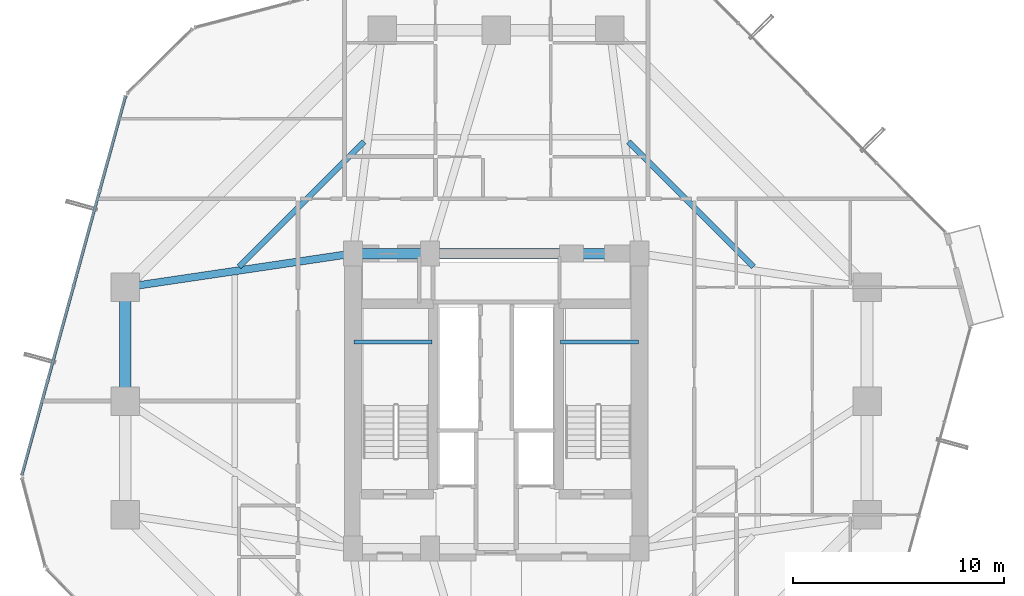
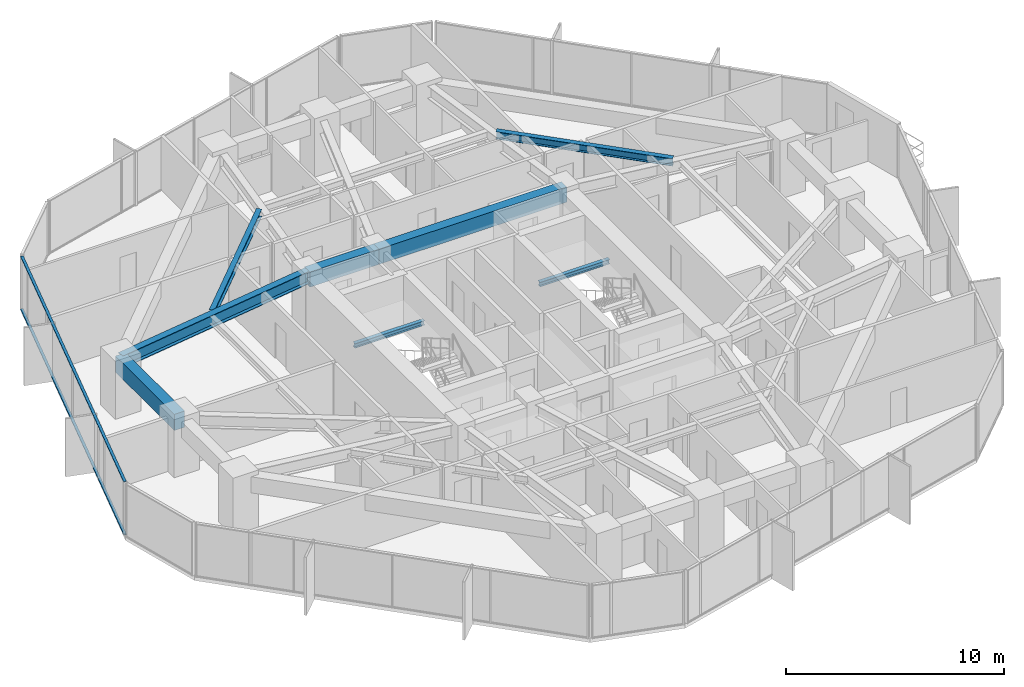
# One storey, part 12 of 39: 8 beams, 2 members, 1 element without a shape of its own.
"""IFC4 building model written with IfcOpenShell, lengths in metres."""

import ifcopenshell
import ifcopenshell.guid

model = None  # the IFC model being written
_history = None  # IfcOwnerHistory: only IFC2X3 demands one
_inside = {}  # id of a spatial element -> (the spatial element, [elements in it])
_under = {}  # id of a project, library or spatial element -> (it, [spatial elements below it])
_declared = {}  # id of a project -> (the project, [libraries it declares])
_typed = {}  # id of a type object -> (the type object, [elements of that type])
_made_of = {}  # id of a material, layer set ... -> (it, [elements and type objects made of it])


def new_model(schema):
    """Start an empty IFC model of exactly this schema.

    Asked for "IFC4X3", IfcOpenShell would pick the latest addendum, in which some entities
    have other attributes; the version numbers below select the first issue.
    IFC2X3 requires an IfcOwnerHistory on every rooted entity: one is made here for all.
    """
    global model, _history
    if schema == "IFC4X3":
        model = ifcopenshell.file(schema_version=(4, 3, 0, 0))
    else:
        model = ifcopenshell.file(schema=schema)
    _inside.clear()
    _under.clear()
    _declared.clear()
    _typed.clear()
    _made_of.clear()
    _history = None
    if model.schema == "IFC2X3":
        org = make("IfcOrganization", Name="unknown")
        user = make(
            "IfcPersonAndOrganization",
            ThePerson=make("IfcPerson", FamilyName="unknown"),
            TheOrganization=org,
        )
        app = make(
            "IfcApplication",
            ApplicationDeveloper=org,
            Version="unknown",
            ApplicationFullName="unknown",
            ApplicationIdentifier="unknown",
        )
        _history = make(
            "IfcOwnerHistory",
            OwningUser=user,
            OwningApplication=app,
            ChangeAction="ADDED",
            CreationDate=0,
        )
    return model


def make(cls, **values):
    """One entity of the class cls with the attributes given. An attribute that is None is left unset."""
    return model.create_entity(
        cls, **{name: value for name, value in values.items() if value is not None}
    )


def rooted(cls, **values):
    """An entity with a GlobalId (a new one), such as an element, a storey or a relation."""
    return make(cls, GlobalId=ifcopenshell.guid.new(), OwnerHistory=_history, **values)


def si_unit(unit_type, name, prefix=None):
    """IfcSIUnit, for example si_unit("LENGTHUNIT", "METRE", prefix="MILLI")."""
    return make("IfcSIUnit", UnitType=unit_type, Prefix=prefix, Name=name)


def assignment(units):
    """IfcUnitAssignment: the units of a project."""
    return None if units is None else make("IfcUnitAssignment", Units=units)


def point(xyz):
    """IfcCartesianPoint."""
    return None if xyz is None else make("IfcCartesianPoint", Coordinates=xyz)


def direction(xyz):
    """IfcDirection."""
    return None if xyz is None else make("IfcDirection", DirectionRatios=xyz)


def frame(location, z_axis=None, x_axis=None):
    """IfcAxis2Placement3D, a coordinate frame: its origin and axes. An axis left out is left unset."""
    return make(
        "IfcAxis2Placement3D",
        Location=point(location),
        Axis=direction(z_axis),
        RefDirection=direction(x_axis),
    )


def frame_2d(location, x_axis=None):
    """IfcAxis2Placement2D, a coordinate frame in the plane: its origin and x axis."""
    return make(
        "IfcAxis2Placement2D", Location=point(location), RefDirection=direction(x_axis)
    )


def origin():
    """The frame at (0, 0, 0) with its axes left unset."""
    return frame((0.0, 0.0, 0.0))


def origin_2d():
    """The frame at (0, 0) in the plane with its x axis left unset."""
    return frame_2d((0.0, 0.0))


def place(relative_to, where):
    """IfcLocalPlacement: puts the frame where relative to a parent placement (None: the world)."""
    return make(
        "IfcLocalPlacement", PlacementRelTo=relative_to, RelativePlacement=where
    )


def context(
    kind, dimensions, precision=None, world=None, true_north=None, identifier=None
):
    """IfcGeometricRepresentationContext, for example the 3D "Model" context."""
    return make(
        "IfcGeometricRepresentationContext",
        ContextIdentifier=identifier,
        ContextType=kind,
        CoordinateSpaceDimension=dimensions,
        Precision=precision,
        WorldCoordinateSystem=world,
        TrueNorth=true_north,
    )


def subcontext(parent, identifier, kind, view, scale=None):
    """IfcGeometricRepresentationSubContext, for example "Body" below "Model"."""
    return make(
        "IfcGeometricRepresentationSubContext",
        ContextIdentifier=identifier,
        ContextType=kind,
        ParentContext=parent,
        TargetScale=scale,
        TargetView=view,
    )


def project(units=None, contexts=None):
    """IfcProject with its units and contexts."""
    return rooted(
        "IfcProject",
        Name="project",
        RepresentationContexts=contexts,
        UnitsInContext=assignment(units),
    )


def spatial(cls, under=None, at=None, **own):
    """A site, building, storey or space (cls), placed at a placement, below another one or the project."""
    s = rooted(cls, ObjectPlacement=at, **own)
    if under is not None:
        _under.setdefault(under.id(), (under, []))[1].append(s)
    return s


def profile(cls, at=None, kind="AREA", **sizes):
    """A parametric profile (cls). Its sizes go by their IFC names, for example OverallWidth=200.0."""
    return make(cls, ProfileType=kind, Position=at, **sizes)


def rectangle(**sizes):
    """IfcRectangleProfileDef."""
    return profile("IfcRectangleProfileDef", **sizes)


def hollow_rectangle(**sizes):
    """IfcRectangleHollowProfileDef."""
    return profile("IfcRectangleHollowProfileDef", **sizes)


def i_section(**sizes):
    """IfcIShapeProfileDef."""
    return profile("IfcIShapeProfileDef", **sizes)


def extrude(swept, where, along, depth):
    """IfcExtrudedAreaSolid: the profile swept, set in the frame where, extruded along a direction by depth."""
    return make(
        "IfcExtrudedAreaSolid",
        SweptArea=swept,
        Position=where,
        ExtrudedDirection=direction(along),
        Depth=depth,
    )


def shape(context_of_items, identifier, shape_type, items):
    """IfcShapeRepresentation: the items that make up one representation, for example the "Body"."""
    return make(
        "IfcShapeRepresentation",
        ContextOfItems=context_of_items,
        RepresentationIdentifier=identifier,
        RepresentationType=shape_type,
        Items=items,
    )


def source(mapping_origin, context_of_items, identifier, shape_type, items):
    """IfcRepresentationMap: a shape defined once, which mapped items show again and again."""
    return make(
        "IfcRepresentationMap",
        MappingOrigin=mapping_origin,
        MappedRepresentation=shape(context_of_items, identifier, shape_type, items),
    )


def transform(
    local_origin,
    x_axis=None,
    y_axis=None,
    z_axis=None,
    scale=None,
    scale2=None,
    scale3=None,
    uniform=True,
):
    """IfcCartesianTransformationOperator3D, or its non-uniform kind. x_axis, y_axis, z_axis: its Axis1, 2, 3."""
    if uniform:
        return make(
            "IfcCartesianTransformationOperator3D",
            Axis1=direction(x_axis),
            Axis2=direction(y_axis),
            LocalOrigin=point(local_origin),
            Scale=scale,
            Axis3=direction(z_axis),
        )
    return make(
        "IfcCartesianTransformationOperator3DnonUniform",
        Axis1=direction(x_axis),
        Axis2=direction(y_axis),
        LocalOrigin=point(local_origin),
        Scale=scale,
        Axis3=direction(z_axis),
        Scale2=scale2,
        Scale3=scale3,
    )


def mapped(mapping_source, mapping_target):
    """IfcMappedItem: shows the shape of a source again, moved by a transform."""
    return make(
        "IfcMappedItem", MappingSource=mapping_source, MappingTarget=mapping_target
    )


def material(Name=None, Category=None):
    """IfcMaterial."""
    return make("IfcMaterial", Name=Name, Category=Category)


def layer(
    of_material, thickness, ventilated=None, Name=None, Category=None, Priority=None
):
    """IfcMaterialLayer: one layer of a wall or slab, of a material (None: an air gap)."""
    return make(
        "IfcMaterialLayer",
        Material=of_material,
        LayerThickness=thickness,
        IsVentilated=ventilated,
        Name=Name,
        Category=Category,
        Priority=Priority,
    )


def layer_set(layers, Name=None):
    """IfcMaterialLayerSet."""
    return make("IfcMaterialLayerSet", MaterialLayers=layers, LayerSetName=Name)


def material_profile(
    of_material, cross_section, Name=None, Category=None, Priority=None
):
    """IfcMaterialProfile: a cross section and its material."""
    return make(
        "IfcMaterialProfile",
        Name=Name,
        Material=of_material,
        Profile=cross_section,
        Priority=Priority,
        Category=Category,
    )


def profile_set(profiles, Name=None, composite=None):
    """IfcMaterialProfileSet."""
    return make(
        "IfcMaterialProfileSet",
        Name=Name,
        MaterialProfiles=profiles,
        CompositeProfile=composite,
    )


def made_of(thing, what):
    """Note that an element or type object is made of a material, layer set ...; save() writes the relation."""
    if what is not None:
        _made_of.setdefault(what.id(), (what, []))[1].append(thing)
    return thing


def type_object(cls, material=None, **own):
    """A type object (cls), such as IfcWallType, which elements share."""
    return made_of(rooted(cls, **own), material)


def element(
    cls,
    number,
    at=None,
    inside=None,
    cuts=None,
    type_object=None,
    material=None,
    context=None,
    identifier="Body",
    shape_type=None,
    held_by="IfcProductDefinitionShape",
    body=None,
    shapes=None,
    **own,
):
    """One element of the class cls, such as IfcWall. Its Tag is "e" and its number.

    at: its placement. inside: the storey or other place that contains it. cuts: it is an
    opening in that element (IfcRelVoidsElement). A single representation is given by context,
    identifier, shape_type and body (its items); several are given by shapes. held_by: the class
    of the entity that holds the representations. save() writes the other relations.
    """
    e = rooted(cls, Tag="e%d" % number, ObjectPlacement=at, **own)
    if body is not None:
        shapes = [shape(context, identifier, shape_type, body)]
    if shapes is not None:
        e.Representation = make(held_by, Representations=shapes)
    if inside is not None:
        _inside.setdefault(inside.id(), (inside, []))[1].append(e)
    if cuts is not None:
        rooted(
            "IfcRelVoidsElement", RelatingBuildingElement=cuts, RelatedOpeningElement=e
        )
    if type_object is not None:
        _typed.setdefault(type_object.id(), (type_object, []))[1].append(e)
    return made_of(e, material)


def aggregate(whole, parts):
    """IfcRelAggregates: a whole, such as a stair, and the parts it consists of."""
    return rooted("IfcRelAggregates", RelatingObject=whole, RelatedObjects=parts)


def save(model, path):
    """Write the relations noted so far, then the file.

    IfcRelAggregates (storeys below a building ...), IfcRelContainedInSpatialStructure (elements
    in a storey), IfcRelDefinesByType, IfcRelAssociatesMaterial and IfcRelDeclares: one each for
    every whole, place, type object, material and project.
    """
    for whole, parts in _under.values():
        aggregate(whole, parts)
    for where, things in _inside.values():
        rooted(
            "IfcRelContainedInSpatialStructure",
            RelatedElements=things,
            RelatingStructure=where,
        )
    for kind, things in _typed.values():
        rooted("IfcRelDefinesByType", RelatedObjects=things, RelatingType=kind)
    for what, things in _made_of.values():
        rooted("IfcRelAssociatesMaterial", RelatedObjects=things, RelatingMaterial=what)
    for by, libraries in _declared.values():
        rooted("IfcRelDeclares", RelatingContext=by, RelatedDefinitions=libraries)
    model.write(path)


model = new_model("IFC4")

# Units and contexts
model_context = context("Model", 3, precision=1e-05, world=origin(), true_north=direction((0.0, 1.0)))
body_context = subcontext(model_context, "Body", "Model", "MODEL_VIEW")
ifc_project = project(units=[si_unit("LENGTHUNIT", "METRE"), si_unit("AREAUNIT", "SQUARE_METRE"), si_unit("VOLUMEUNIT", "CUBIC_METRE"), si_unit("PLANEANGLEUNIT", "RADIAN"), si_unit("MASSUNIT", "GRAM", prefix="KILO")], contexts=[model_context])

# Site, building, storey
site_placement = place(None, origin())
site = spatial("IfcSite", under=ifc_project, at=site_placement, CompositionType="ELEMENT")
building_placement = place(site_placement, origin())
building = spatial("IfcBuilding", under=site, at=building_placement, Name="Veraguas Prism Commons", CompositionType="ELEMENT")
storey_placement = place(building_placement, frame((0.0, 0.0, 73.85009765625)))
storey = spatial("IfcBuildingStorey", under=building, at=storey_placement, Name="L20", CompositionType="ELEMENT", Elevation=73.85009765625)

# Beams
ifc_material_1 = material(Name="Concrete C50/60", Category="concrete")
ifc_material_profile_1 = material_profile(ifc_material_1, rectangle(XDim=0.5, YDim=0.85009765625, at=origin_2d()), Name="RC500X850")
ifc_profile_set_1 = profile_set([ifc_material_profile_1], Name="Concrete C50/60")
beam_type_1 = type_object("IfcBeamType", Name="Core Coupling Beam RC 500x850", PredefinedType="BEAM", material=ifc_profile_set_1)
beam_1_placement = place(storey_placement, frame((17.199951171875, 31.0, 2.574951171875), z_axis=(1.0, 0.0, 0.0), x_axis=(0.0, 1.0, 0.0)))
element("IfcBeam", 1, at=beam_1_placement, inside=storey, type_object=beam_type_1, Name="Core Coupling Beam L20-CRN1", PredefinedType="BEAM", context=body_context, shape_type="SweptSolid", body=[
    extrude(rectangle(XDim=0.5, YDim=0.85009765625, at=origin_2d()), origin(), (0.0, 0.0, 1.0), 3.650146484375),
])
beam_2_placement = place(storey_placement, frame((20.85009765625, 31.0, 2.574951171875), z_axis=(1.0, 0.0, 0.0), x_axis=(0.0, 1.0, 0.0)))
element("IfcBeam", 2, at=beam_2_placement, inside=storey, type_object=beam_type_1, Name="Core Coupling Beam L20-CRN2", PredefinedType="BEAM", context=body_context, shape_type="SweptSolid", body=[
    extrude(rectangle(XDim=0.5, YDim=0.85009765625, at=origin_2d()), origin(), (0.0, 0.0, 1.0), 9.949951171875),
])
ifc_material_2 = material(Name="Steel ASTM A992 Grade 50", Category="steel")
ifc_material_profile_2 = material_profile(ifc_material_2, i_section(OverallWidth=0.260986328125, OverallDepth=0.419921875, WebThickness=0.01171875, FlangeThickness=0.019287109375, at=origin_2d()), Name="W410X114")
ifc_profile_set_2 = profile_set([ifc_material_profile_2], Name="Steel ASTM A992 Grade 50")
beam_type_2 = type_object("IfcBeamType", Name="Lower Floor Joist W410x114", PredefinedType="JOIST", material=ifc_profile_set_2)
for number, where, z_axis, x_axis, name in (
    (3, (36.20703125, 30.376953125, 2.789794921875), (-0.707092226423, 0.70712133565, 0.0), (-0.70712133565, -0.707092226423, 0.0), "Composite Floor Joist L20-JS03"),
    (4, (17.723388671875, 36.3076171875, 2.789794921875), (-0.707092226423, -0.70712133565, 0.0), (0.70712133565, -0.707092226423, 0.0), "Composite Floor Joist L20-JS06"),
):
    element("IfcBeam", number, at=place(storey_placement, frame(where, z_axis=z_axis, x_axis=x_axis)), inside=storey, type_object=beam_type_2, Name=name, PredefinedType="JOIST", context=body_context, shape_type="SweptSolid", body=[
        extrude(i_section(OverallWidth=0.260986328125, OverallDepth=0.419921875, WebThickness=0.01171875, FlangeThickness=0.019287109375, at=origin_2d()), origin(), (0.0, 0.0, 1.0), 8.386962890625),
    ])
ifc_material_profile_3 = material_profile(ifc_material_1, rectangle(XDim=0.550048828125, YDim=0.89990234375, at=origin_2d()), Name="RC550X900")
ifc_profile_set_3 = profile_set([ifc_material_profile_3], Name="Concrete C50/60")
beam_type_3 = type_object("IfcBeamType", Name="Perimeter Spandrel Lower RC 550x900", PredefinedType="SPANDREL", material=ifc_profile_set_3)
beam_3_placement = place(storey_placement, frame((6.39990234375, 29.39990234375, 2.5498046875), z_axis=(0.0, -1.0, 0.0), x_axis=(1.0, 0.0, 0.0)))
element("IfcBeam", 5, at=beam_3_placement, inside=storey, type_object=beam_type_3, Name="Perimeter Spandrel Beam L20-SP07", PredefinedType="SPANDREL", context=body_context, shape_type="SweptSolid", body=[
    extrude(rectangle(XDim=0.550048828125, YDim=0.89990234375, at=origin_2d()), origin(), (0.0, 0.0, 1.0), 5.39990234375),
])
ifc_material_profile_4 = material_profile(ifc_material_2, i_section(OverallWidth=0.202880859375, OverallDepth=0.251953125, WebThickness=0.008056640625, FlangeThickness=0.013427734375, at=origin_2d()), Name="W250X58")
ifc_profile_set_4 = profile_set([ifc_material_profile_4], Name="Steel ASTM A992 Grade 50")
beam_type_4 = type_object("IfcBeamType", Name="Structural Opening Lintel W250x58", PredefinedType="LINTEL", material=ifc_profile_set_4)
for number, where, z_axis, x_axis, name in (
    (6, (17.25, 26.800048828125, 1.298828125), (1.0, 0.0, 0.0), (0.0, 1.0, 0.0), "Stair ST-01 Half-Landing Support Beam L20-1"),
    (7, (27.050048828125, 26.800048828125, 1.298828125), (1.0, 0.0, 0.0), (0.0, 1.0, 0.0), "Stair ST-02 Half-Landing Support Beam L20-1"),
):
    element("IfcBeam", number, at=place(storey_placement, frame(where, z_axis=z_axis, x_axis=x_axis)), inside=storey, type_object=beam_type_4, Name=name, PredefinedType="LINTEL", context=body_context, shape_type="SweptSolid", body=[
        extrude(i_section(OverallWidth=0.202880859375, OverallDepth=0.251953125, WebThickness=0.008056640625, FlangeThickness=0.013427734375, at=origin_2d()), origin(), (0.0, 0.0, 1.0), 3.699951171875),
    ])
ifc_material_profile_5 = material_profile(ifc_material_2, i_section(OverallWidth=0.35595703125, OverallDepth=0.700927734375, WebThickness=0.016845703125, FlangeThickness=0.02734375, at=origin_2d()), Name="W690X240")
ifc_profile_set_5 = profile_set([ifc_material_profile_5], Name="Steel ASTM A992 Grade 50")
beam_type_5 = type_object("IfcBeamType", Name="Zone 1 Radial Girder W690x240", PredefinedType="BEAM", material=ifc_profile_set_5)
beam_4_placement = place(storey_placement, frame((6.39990234375, 29.39990234375, 2.6494140625), z_axis=(0.989202261707, 0.146556765224, 0.0), x_axis=(-0.146556765224, 0.989202261707, 0.0)))
element("IfcBeam", 8, at=beam_4_placement, inside=storey, type_object=beam_type_5, Name="Radial Floor Girder L20-RD07", PredefinedType="BEAM", context=body_context, shape_type="SweptSolid", body=[
    extrude(i_section(OverallWidth=0.35595703125, OverallDepth=0.700927734375, WebThickness=0.016845703125, FlangeThickness=0.02734375, at=origin_2d()), origin(), (0.0, 0.0, 1.0), 10.91796875),
])

# Curtain wall, members
ifc_material_3 = material(Name="Anodised aluminium EN AW-6063 T6", Category="aluminium")
ifc_layer = layer(ifc_material_3, 0.169921875, Name="Unitised Flush Curtain Wall Zone 1", Category="aluminium")
ifc_layer_set = layer_set([ifc_layer], Name="Anodised aluminium EN AW-6063 T6")
curtain_wall_type = type_object("IfcCurtainWallType", Name="Unitised Flush Curtain Wall Zone 1", PredefinedType="NOTDEFINED", material=ifc_layer_set)
curtain_wall_placement = place(storey_placement, origin())
curtain_wall = element("IfcCurtainWall", 9, at=curtain_wall_placement, inside=storey, type_object=curtain_wall_type, Name="Tower Facade Curtain Wall L20-F3", PredefinedType="NOTDEFINED")
ifc_material_profile_6 = material_profile(ifc_material_3, hollow_rectangle(XDim=0.054931640625, YDim=0.135009765625, WallThickness=0.0029296875, at=origin_2d()), Name="AL55X135X3")
ifc_profile_set_6 = profile_set([ifc_material_profile_6], Name="Anodised aluminium EN AW-6063 T6")
member_type = type_object("IfcMemberType", Name="Curtain Wall Transom Standard AL 55x135x3", PredefinedType="USERDEFINED", material=ifc_profile_set_6)
shared_shape = source(origin(), body_context, "Body", "SweptSolid", [
    extrude(hollow_rectangle(XDim=0.054931640625, YDim=0.135009765625, WallThickness=0.0029296875, at=origin_2d()), origin(), (0.0, 0.0, 1.0), 18.623779296875),
])
member_1_placement = place(storey_placement, frame((6.4091796875, 38.46630859375, 0.02734375), z_axis=(-0.263873822959, -0.96455720699, 0.0), x_axis=(0.0, 0.0, 1.0)))
member_1 = element("IfcMember", 10, at=member_1_placement, type_object=member_type, Name="CW-Z1 Transom 1", ObjectType="TRANSOM", PredefinedType="USERDEFINED", context=body_context, shape_type="MappedRepresentation", body=[
    mapped(shared_shape, transform((0.0, 0.0, 0.0), scale=1.0)),
])
member_2_placement = place(storey_placement, frame((6.4091796875, 38.46630859375, 2.972412109375), z_axis=(-0.263873822959, -0.96455720699, 0.0), x_axis=(0.0, 0.0, 1.0)))
member_2 = element("IfcMember", 11, at=member_2_placement, type_object=member_type, Name="CW-Z1 Transom 2", ObjectType="TRANSOM", PredefinedType="USERDEFINED", context=body_context, shape_type="MappedRepresentation", body=[
    mapped(shared_shape, transform((0.0, 0.0, 0.0), scale=1.0)),
])
aggregate(curtain_wall, [member_1, member_2])

save(model, "model.ifc")
